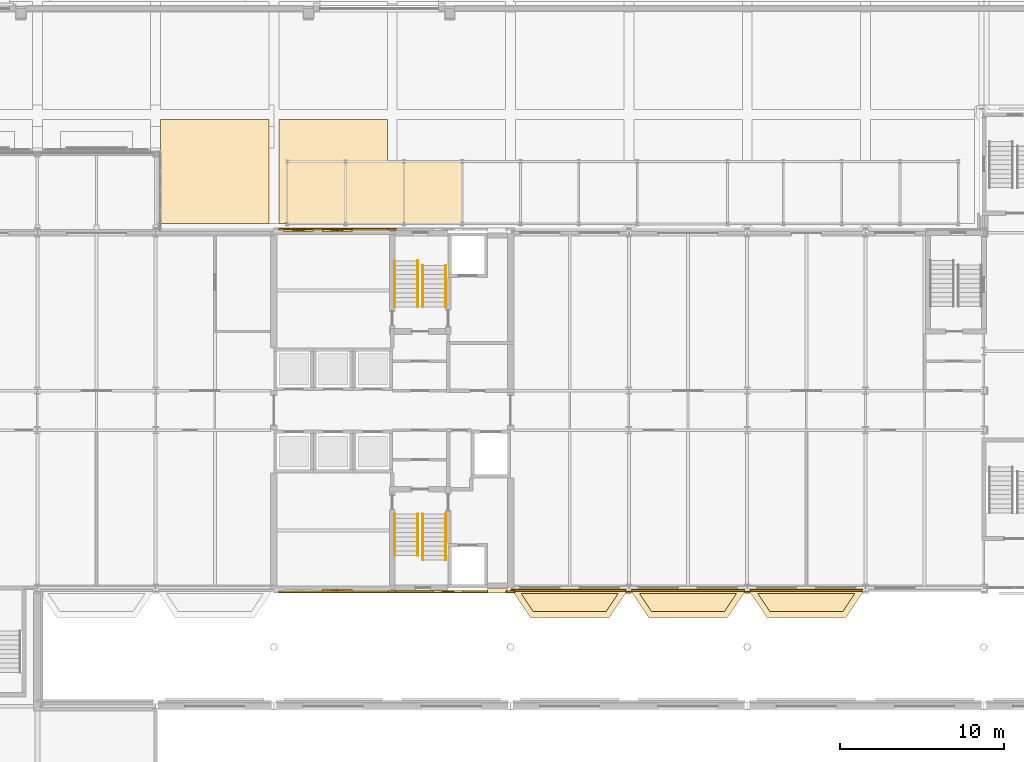
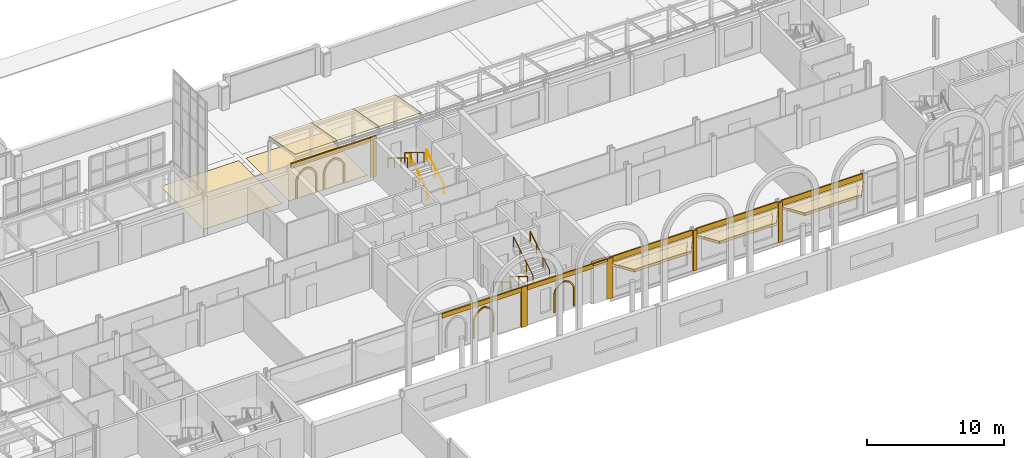
# One storey, part 121 of 143: 27 coverings, 8 railings.
"""IFC4 building model written with IfcOpenShell, lengths in metres."""

from ifc_helpers import new_model, si_unit, direction, frame, origin, origin_2d, place, context, subcontext, project, spatial, polyline, rectangle, circle, outline, extrude, material, layer, layer_set, type_object, element, save


model = new_model("IFC4")

# Units and contexts
model_context = context("Model", 3, precision=1e-05, world=origin(), true_north=direction((0.0, 1.0)))
body_context = subcontext(model_context, "Body", "Model", "MODEL_VIEW")
ifc_project = project(units=[si_unit("LENGTHUNIT", "METRE"), si_unit("AREAUNIT", "SQUARE_METRE"), si_unit("VOLUMEUNIT", "CUBIC_METRE"), si_unit("PLANEANGLEUNIT", "RADIAN"), si_unit("MASSUNIT", "GRAM", prefix="KILO")], contexts=[model_context])

# Site, building, storey
site_placement = place(None, origin())
site = spatial("IfcSite", under=ifc_project, at=site_placement, CompositionType="ELEMENT")
building_placement = place(site_placement, origin())
building = spatial("IfcBuilding", under=site, at=building_placement, Name="Kupolbacken Congress Centre", CompositionType="ELEMENT")
storey_placement = place(building_placement, frame((0.0, 0.0, 7.199951171875)))
storey = spatial("IfcBuildingStorey", under=building, at=storey_placement, Name="L02", CompositionType="ELEMENT", Elevation=7.199951171875)

# Coverings
ifc_material_1 = material(Name="Limestone cladding", Category="masonry")
ifc_layer_1 = layer(ifc_material_1, 0.1201171875)
ifc_layer_set_1 = layer_set([ifc_layer_1], Name="Limestone cladding")
covering_type_1 = type_object("IfcCoveringType", Name="CV1 limestone cladding band 120", PredefinedType="CLADDING", material=ifc_layer_set_1)
covering_1_placement = place(storey_placement, frame((0.0, 0.0, 2.840087890625)))
element("IfcCovering", 1, at=covering_1_placement, inside=storey, type_object=covering_type_1, Name="E/T/corbel2/L03/S/108/1", PredefinedType="CLADDING", context=body_context, shape_type="SweptSolid", body=[
    extrude(outline(polyline([(115.0732421875, 122.2099609375), (108.126708984375, 122.2099609375), (109.199951171875, 120.60009765625), (114.0, 120.60009765625), (115.0732421875, 122.2099609375)])), origin(), (0.0, 0.0, 1.0), 0.219970703125),
])
covering_2_placement = place(storey_placement, frame((0.0, 0.0, 2.6201171875)))
element("IfcCovering", 2, at=covering_2_placement, inside=storey, type_object=covering_type_1, Name="E/T/corbel2/L03/S/108/2", PredefinedType="CLADDING", context=body_context, shape_type="SweptSolid", body=[
    extrude(outline(polyline([(108.654052734375, 122.050048828125), (109.38720703125, 120.949951171875), (113.812744140625, 120.949951171875), (114.5458984375, 122.050048828125), (108.654052734375, 122.050048828125)])), origin(), (0.0, 0.0, 1.0), 0.219970703125),
])
covering_3_placement = place(storey_placement, frame((0.0, 0.0, 2.840087890625)))
element("IfcCovering", 3, at=covering_3_placement, inside=storey, type_object=covering_type_1, Name="E/T/corbel2/L03/S/115.2/1", PredefinedType="CLADDING", context=body_context, shape_type="SweptSolid", body=[
    extrude(outline(polyline([(122.273193359375, 122.2099609375), (115.32666015625, 122.2099609375), (116.39990234375, 120.60009765625), (121.199951171875, 120.60009765625), (122.273193359375, 122.2099609375)])), origin(), (0.0, 0.0, 1.0), 0.219970703125),
])
covering_4_placement = place(storey_placement, frame((0.0, 0.0, 2.6201171875)))
element("IfcCovering", 4, at=covering_4_placement, inside=storey, type_object=covering_type_1, Name="E/T/corbel2/L03/S/115.2/2", PredefinedType="CLADDING", context=body_context, shape_type="SweptSolid", body=[
    extrude(outline(polyline([(115.85400390625, 122.050048828125), (116.58740234375, 120.949951171875), (121.0126953125, 120.949951171875), (121.74609375, 122.050048828125), (115.85400390625, 122.050048828125)])), origin(), (0.0, 0.0, 1.0), 0.219970703125),
])
covering_5_placement = place(storey_placement, frame((0.0, 0.0, 2.840087890625)))
element("IfcCovering", 5, at=covering_5_placement, inside=storey, type_object=covering_type_1, Name="E/T/corbel2/L03/S/122.4/1", PredefinedType="CLADDING", context=body_context, shape_type="SweptSolid", body=[
    extrude(outline(polyline([(129.473388671875, 122.2099609375), (122.526611328125, 122.2099609375), (123.60009765625, 120.60009765625), (128.39990234375, 120.60009765625), (129.473388671875, 122.2099609375)])), origin(), (0.0, 0.0, 1.0), 0.219970703125),
])
covering_6_placement = place(storey_placement, frame((0.0, 0.0, 2.6201171875)))
element("IfcCovering", 6, at=covering_6_placement, inside=storey, type_object=covering_type_1, Name="E/T/corbel2/L03/S/122.4/2", PredefinedType="CLADDING", context=body_context, shape_type="SweptSolid", body=[
    extrude(outline(polyline([(123.053955078125, 122.050048828125), (123.787353515625, 120.949951171875), (128.212646484375, 120.949951171875), (128.946044921875, 122.050048828125), (123.053955078125, 122.050048828125)])), origin(), (0.0, 0.0, 1.0), 0.219970703125),
])
covering_7_placement = place(storey_placement, frame((107.199951171875, 122.2451171875, 3.419921875), z_axis=(0.0, 0.0, 1.0), x_axis=(1.0, 0.0, 0.0)))
element("IfcCovering", 7, at=covering_7_placement, inside=storey, type_object=covering_type_1, Name="E/T/S/L02/025/band", PredefinedType="CLADDING", context=body_context, shape_type="SweptSolid", body=[
    extrude(rectangle(XDim=1.199951171875, YDim=0.31005859375, at=origin_2d()), origin(), (0.0, 0.0, 1.0), 0.179931640625),
])
covering_8_placement = place(storey_placement, frame((111.523193359375, 122.262451171875, 3.1201171875), z_axis=(0.0, 0.0, 1.0), x_axis=(1.0, 0.0, 0.0)))
element("IfcCovering", 8, at=covering_8_placement, inside=storey, type_object=covering_type_1, Name="E/T/S/L02/026/band", PredefinedType="CLADDING", context=body_context, shape_type="SweptSolid", body=[
    extrude(rectangle(XDim=7.04638671875, YDim=0.10498046875, at=origin_2d()), origin(), (0.0, 0.0, 1.0), 0.47998046875),
])
for number, where, z_axis, x_axis, name in (
    (9, (118.800048828125, 122.262451171875, 3.1201171875), (0.0, 0.0, 1.0), (1.0, 0.0, 0.0), "E/T/S/L02/027/band"),
    (10, (126.0, 122.262451171875, 3.1201171875), (0.0, 0.0, 1.0), (1.0, 0.0, 0.0), "E/T/S/L02/028/band"),
):
    element("IfcCovering", number, at=place(storey_placement, frame(where, z_axis=z_axis, x_axis=x_axis)), inside=storey, type_object=covering_type_1, Name=name, PredefinedType="CLADDING", context=body_context, shape_type="SweptSolid", body=[
        extrude(rectangle(XDim=6.89306640625, YDim=0.10498046875, at=origin_2d()), origin(), (0.0, 0.0, 1.0), 0.47998046875),
    ])
for number, where, z_axis, x_axis, name in (
    (11, (115.199951171875, 122.134033203125, 0.0), (0.0, 0.0, 1.0), (1.0, 0.0, 0.0), "E/T/pilaster/L02/C-T-17T/S"),
    (12, (122.39990234375, 122.134033203125, 0.0), (0.0, 0.0, 1.0), (1.0, 0.0, 0.0), "E/T/pilaster/L02/C-T-18T/S"),
):
    element("IfcCovering", number, at=place(storey_placement, frame(where, z_axis=z_axis, x_axis=x_axis)), inside=storey, type_object=covering_type_1, Name=name, PredefinedType="CLADDING", context=body_context, shape_type="SweptSolid", body=[
        extrude(rectangle(XDim=0.306884765625, YDim=0.10009765625, at=origin_2d()), origin(), (0.0, 0.0, 1.0), 3.60009765625),
    ])
covering_9_placement = place(storey_placement, frame((100.800048828125, 144.235107421875, 0.0), z_axis=(0.0, 0.0, 1.0), x_axis=(1.0, 0.0, 0.0)))
element("IfcCovering", 13, at=covering_9_placement, inside=storey, type_object=covering_type_1, Name="E/T/stripe/N/L02/pil100.8", PredefinedType="CLADDING", context=body_context, shape_type="SweptSolid", body=[
    extrude(rectangle(XDim=0.5, YDim=0.1201171875, at=origin_2d()), origin(), (0.0, 0.0, 1.0), 3.60009765625),
])
covering_10_placement = place(storey_placement, frame((97.199951171875, 144.235107421875, 3.2001953125), z_axis=(0.0, 0.0, 1.0), x_axis=(1.0, 0.0, 0.0)))
element("IfcCovering", 14, at=covering_10_placement, inside=storey, type_object=covering_type_1, Name="E/T/stripe/N/L02/belt93.6", PredefinedType="CLADDING", context=body_context, shape_type="SweptSolid", body=[
    extrude(rectangle(XDim=6.699951171875, YDim=0.1201171875, at=origin_2d()), origin(), (0.0, 0.0, 1.0), 0.39990234375),
])
covering_11_placement = place(storey_placement, frame((94.199951171875, 144.10009765625, 0.35009765625), z_axis=(0.0, 1.0, 0.0), x_axis=(-1.0, 0.0, 0.0)))
element("IfcCovering", 15, at=covering_11_placement, inside=storey, type_object=covering_type_1, Name="E/T/stripe/N/L02/niche93.6/1", PredefinedType="CLADDING", context=body_context, shape_type="SweptSolid", body=[
    extrude(outline(polyline([(0.0, 0.0), (0.0, 1.43408203125), (-0.00537109375, 1.54443359375), (-0.021484375, 1.654052734375), (-0.048095703125, 1.761474609375), (-0.084716796875, 1.86572265625), (-0.131591796875, 1.966064453125), (-0.187744140625, 2.061279296875), (-0.2529296875, 2.15087890625), (-0.32666015625, 2.2333984375), (-0.40771484375, 2.30859375), (-0.495849609375, 2.37548828125), (-0.590087890625, 2.433837890625), (-0.689453125, 2.482421875), (-0.793212890625, 2.521240234375), (-0.89990234375, 2.550048828125), (-1.0068359375, 2.521240234375), (-1.110595703125, 2.482421875), (-1.2099609375, 2.433837890625), (-1.30419921875, 2.37548828125), (-1.39208984375, 2.30859375), (-1.473388671875, 2.2333984375), (-1.547119140625, 2.15087890625), (-1.6123046875, 2.061279296875), (-1.66845703125, 1.966064453125), (-1.715087890625, 1.86572265625), (-1.751953125, 1.761474609375), (-1.778564453125, 1.654052734375), (-1.794677734375, 1.54443359375), (-1.800048828125, 1.43408203125), (-1.800048828125, 0.0), (-1.679931640625, 0.0), (-1.679931640625, 1.43408203125), (-1.67529296875, 1.531005859375), (-1.66162109375, 1.627197265625), (-1.638671875, 1.7216796875), (-1.60693359375, 1.8134765625), (-1.566650390625, 1.90185546875), (-1.51806640625, 1.986083984375), (-1.461669921875, 2.065185546875), (-1.398193359375, 2.138916015625), (-1.327880859375, 2.205810546875), (-1.25146484375, 2.26611328125), (-1.169677734375, 2.318603515625), (-1.08349609375, 2.36328125), (-0.9931640625, 2.3994140625), (-0.89990234375, 2.427001953125), (-0.806884765625, 2.3994140625), (-0.716552734375, 2.36328125), (-0.63037109375, 2.318603515625), (-0.548583984375, 2.26611328125), (-0.47216796875, 2.205810546875), (-0.40185546875, 2.138916015625), (-0.33837890625, 2.065185546875), (-0.281982421875, 1.986083984375), (-0.2333984375, 1.90185546875), (-0.193115234375, 1.8134765625), (-0.161376953125, 1.7216796875), (-0.138427734375, 1.627197265625), (-0.12451171875, 1.531005859375), (-0.1201171875, 1.43408203125), (-0.1201171875, 0.0), (0.0, 0.0)])), origin(), (0.0, 0.0, 1.0), 0.080078125),
])
covering_12_placement = place(storey_placement, frame((96.550048828125, 144.10009765625, 0.35009765625), z_axis=(0.0, 1.0, 0.0), x_axis=(-1.0, 0.0, 0.0)))
element("IfcCovering", 16, at=covering_12_placement, inside=storey, type_object=covering_type_1, Name="E/T/stripe/N/L02/niche93.6/2", PredefinedType="CLADDING", context=body_context, shape_type="SweptSolid", body=[
    extrude(outline(polyline([(0.0, 0.0), (0.0, 1.43408203125), (-0.00537109375, 1.54443359375), (-0.021484375, 1.654052734375), (-0.048095703125, 1.761474609375), (-0.084716796875, 1.86572265625), (-0.131591796875, 1.966064453125), (-0.187744140625, 2.061279296875), (-0.2529296875, 2.15087890625), (-0.32666015625, 2.2333984375), (-0.40771484375, 2.30859375), (-0.495849609375, 2.37548828125), (-0.590087890625, 2.433837890625), (-0.689453125, 2.482421875), (-0.793212890625, 2.521240234375), (-0.89990234375, 2.550048828125), (-1.0068359375, 2.521240234375), (-1.110595703125, 2.482421875), (-1.2099609375, 2.433837890625), (-1.30419921875, 2.37548828125), (-1.39208984375, 2.30859375), (-1.473388671875, 2.2333984375), (-1.547119140625, 2.15087890625), (-1.6123046875, 2.061279296875), (-1.66845703125, 1.966064453125), (-1.715087890625, 1.86572265625), (-1.751953125, 1.761474609375), (-1.778564453125, 1.654052734375), (-1.794677734375, 1.54443359375), (-1.800048828125, 1.43408203125), (-1.800048828125, 0.0), (-1.679931640625, 0.0), (-1.679931640625, 1.43408203125), (-1.67529296875, 1.531005859375), (-1.66162109375, 1.627197265625), (-1.638671875, 1.7216796875), (-1.60693359375, 1.8134765625), (-1.566650390625, 1.90185546875), (-1.51806640625, 1.986083984375), (-1.461669921875, 2.065185546875), (-1.398193359375, 2.138916015625), (-1.327880859375, 2.205810546875), (-1.25146484375, 2.26611328125), (-1.169677734375, 2.318603515625), (-1.08349609375, 2.36328125), (-0.9931640625, 2.3994140625), (-0.89990234375, 2.427001953125), (-0.806884765625, 2.3994140625), (-0.716552734375, 2.36328125), (-0.63037109375, 2.318603515625), (-0.548583984375, 2.26611328125), (-0.47216796875, 2.205810546875), (-0.40185546875, 2.138916015625), (-0.33837890625, 2.065185546875), (-0.281982421875, 1.986083984375), (-0.2333984375, 1.90185546875), (-0.193115234375, 1.8134765625), (-0.161376953125, 1.7216796875), (-0.138427734375, 1.627197265625), (-0.12451171875, 1.531005859375), (-0.1201171875, 1.43408203125), (-0.1201171875, 0.0), (0.0, 0.0)])), origin(), (0.0, 0.0, 1.0), 0.080078125),
])
for number, where, z_axis, x_axis, name in (
    (17, (100.800048828125, 122.1650390625, 0.0), (0.0, 0.0, 1.0), (1.0, 0.0, 0.0), "E/T/stripe/S/L02/pil100.8"),
    (18, (108.0, 122.1650390625, 0.0), (0.0, 0.0, 1.0), (1.0, 0.0, 0.0), "E/T/stripe/S/L02/pil108"),
):
    element("IfcCovering", number, at=place(storey_placement, frame(where, z_axis=z_axis, x_axis=x_axis)), inside=storey, type_object=covering_type_1, Name=name, PredefinedType="CLADDING", context=body_context, shape_type="SweptSolid", body=[
        extrude(rectangle(XDim=0.5, YDim=0.1201171875, at=origin_2d()), origin(), (0.0, 0.0, 1.0), 3.60009765625),
    ])
covering_13_placement = place(storey_placement, frame((97.199951171875, 122.1650390625, 3.2001953125), z_axis=(0.0, 0.0, 1.0), x_axis=(1.0, 0.0, 0.0)))
element("IfcCovering", 19, at=covering_13_placement, inside=storey, type_object=covering_type_1, Name="E/T/stripe/S/L02/belt93.6", PredefinedType="CLADDING", context=body_context, shape_type="SweptSolid", body=[
    extrude(rectangle(XDim=6.699951171875, YDim=0.1201171875, at=origin_2d()), origin(), (0.0, 0.0, 1.0), 0.39990234375),
])
covering_14_placement = place(storey_placement, frame((96.550048828125, 122.300048828125, 0.35009765625), z_axis=(0.0, -1.0, 0.0), x_axis=(1.0, 0.0, 0.0)))
element("IfcCovering", 20, at=covering_14_placement, inside=storey, type_object=covering_type_1, Name="E/T/stripe/S/L02/niche93.6/2", PredefinedType="CLADDING", context=body_context, shape_type="SweptSolid", body=[
    extrude(outline(polyline([(0.0, 0.0), (0.0, 1.43408203125), (0.00537109375, 1.54443359375), (0.021484375, 1.654052734375), (0.048095703125, 1.761474609375), (0.084716796875, 1.86572265625), (0.131591796875, 1.966064453125), (0.187744140625, 2.061279296875), (0.2529296875, 2.15087890625), (0.32666015625, 2.2333984375), (0.40771484375, 2.30859375), (0.495849609375, 2.37548828125), (0.590087890625, 2.433837890625), (0.689453125, 2.482421875), (0.793212890625, 2.521240234375), (0.89990234375, 2.550048828125), (1.0068359375, 2.521240234375), (1.110595703125, 2.482421875), (1.2099609375, 2.433837890625), (1.30419921875, 2.37548828125), (1.39208984375, 2.30859375), (1.473388671875, 2.2333984375), (1.547119140625, 2.15087890625), (1.6123046875, 2.061279296875), (1.66845703125, 1.966064453125), (1.715087890625, 1.86572265625), (1.751953125, 1.761474609375), (1.778564453125, 1.654052734375), (1.794677734375, 1.54443359375), (1.800048828125, 1.43408203125), (1.800048828125, 0.0), (1.679931640625, 0.0), (1.679931640625, 1.43408203125), (1.67529296875, 1.531005859375), (1.66162109375, 1.627197265625), (1.638671875, 1.7216796875), (1.60693359375, 1.8134765625), (1.566650390625, 1.90185546875), (1.51806640625, 1.986083984375), (1.461669921875, 2.065185546875), (1.398193359375, 2.138916015625), (1.327880859375, 2.205810546875), (1.25146484375, 2.26611328125), (1.169677734375, 2.318603515625), (1.08349609375, 2.36328125), (0.9931640625, 2.3994140625), (0.89990234375, 2.427001953125), (0.806884765625, 2.3994140625), (0.716552734375, 2.36328125), (0.63037109375, 2.318603515625), (0.548583984375, 2.26611328125), (0.47216796875, 2.205810546875), (0.40185546875, 2.138916015625), (0.33837890625, 2.065185546875), (0.281982421875, 1.986083984375), (0.2333984375, 1.90185546875), (0.193115234375, 1.8134765625), (0.161376953125, 1.7216796875), (0.138427734375, 1.627197265625), (0.12451171875, 1.531005859375), (0.1201171875, 1.43408203125), (0.1201171875, 0.0), (0.0, 0.0)])), origin(), (0.0, 0.0, 1.0), 0.080078125),
])
covering_15_placement = place(storey_placement, frame((104.39990234375, 122.1650390625, 3.2001953125), z_axis=(0.0, 0.0, 1.0), x_axis=(1.0, 0.0, 0.0)))
element("IfcCovering", 21, at=covering_15_placement, inside=storey, type_object=covering_type_1, Name="E/T/stripe/S/L02/belt100.8", PredefinedType="CLADDING", context=body_context, shape_type="SweptSolid", body=[
    extrude(rectangle(XDim=6.699951171875, YDim=0.1201171875, at=origin_2d()), origin(), (0.0, 0.0, 1.0), 0.39990234375),
])
covering_16_placement = place(storey_placement, frame((103.300048828125, 122.22509765625, 0.35009765625), z_axis=(0.0, -1.0, 0.0), x_axis=(1.0, 0.0, 0.0)))
element("IfcCovering", 22, at=covering_16_placement, inside=storey, type_object=covering_type_1, Name="E/T/stripe/S/L02/niche100.8/1", PredefinedType="CLADDING", context=body_context, shape_type="SweptSolid", body=[
    extrude(outline(polyline([(0.0, 0.0), (0.0, 1.43408203125), (0.00537109375, 1.54443359375), (0.021484375, 1.654052734375), (0.048095703125, 1.761474609375), (0.084716796875, 1.86572265625), (0.131591796875, 1.966064453125), (0.187744140625, 2.061279296875), (0.2529296875, 2.15087890625), (0.32666015625, 2.2333984375), (0.40771484375, 2.30859375), (0.495849609375, 2.37548828125), (0.590087890625, 2.433837890625), (0.689453125, 2.482421875), (0.793212890625, 2.521240234375), (0.89990234375, 2.550048828125), (1.0068359375, 2.521240234375), (1.110595703125, 2.482421875), (1.2099609375, 2.433837890625), (1.30419921875, 2.37548828125), (1.39208984375, 2.30859375), (1.473388671875, 2.2333984375), (1.547119140625, 2.15087890625), (1.6123046875, 2.061279296875), (1.66845703125, 1.966064453125), (1.715087890625, 1.86572265625), (1.751953125, 1.761474609375), (1.778564453125, 1.654052734375), (1.794677734375, 1.54443359375), (1.800048828125, 1.43408203125), (1.800048828125, 0.0), (1.679931640625, 0.0), (1.679931640625, 1.43408203125), (1.67529296875, 1.531005859375), (1.66162109375, 1.627197265625), (1.638671875, 1.7216796875), (1.60693359375, 1.8134765625), (1.566650390625, 1.90185546875), (1.51806640625, 1.986083984375), (1.461669921875, 2.065185546875), (1.398193359375, 2.138916015625), (1.327880859375, 2.205810546875), (1.25146484375, 2.26611328125), (1.169677734375, 2.318603515625), (1.08349609375, 2.36328125), (0.9931640625, 2.3994140625), (0.89990234375, 2.427001953125), (0.806884765625, 2.3994140625), (0.716552734375, 2.36328125), (0.63037109375, 2.318603515625), (0.548583984375, 2.26611328125), (0.47216796875, 2.205810546875), (0.40185546875, 2.138916015625), (0.33837890625, 2.065185546875), (0.281982421875, 1.986083984375), (0.2333984375, 1.90185546875), (0.193115234375, 1.8134765625), (0.161376953125, 1.7216796875), (0.138427734375, 1.627197265625), (0.12451171875, 1.531005859375), (0.1201171875, 1.43408203125), (0.1201171875, 0.0), (0.0, 0.0)])), origin(), (0.0, 0.0, 1.0), 0.080078125),
])
ifc_material_2 = material(Name="Glass", Category="glass")
ifc_layer_2 = layer(ifc_material_2, 0.0439453125)
ifc_layer_set_2 = layer_set([ifc_layer_2], Name="Glass")
covering_type_2 = type_object("IfcCoveringType", Name="GC1 glazed canopy roof 44", PredefinedType="ROOFING", material=ifc_layer_set_2)
for number, where, z_axis, x_axis, name in (
    (23, (94.39990234375, 144.550048828125, 4.033935546875), (0.0, 0.181147956008, 0.983455854644), (1.0, 0.0, 0.0), "Covered passage glass"),
    (24, (97.949951171875, 144.550048828125, 4.033935546875), (0.0, 0.181147956008, 0.983455854644), (1.0, 0.0, 0.0), "Covered passage glass"),
    (25, (101.5, 144.550048828125, 4.033935546875), (0.0, 0.181147956008, 0.983455854644), (1.0, 0.0, 0.0), "Covered passage glass"),
):
    element("IfcCovering", number, at=place(storey_placement, frame(where, z_axis=z_axis, x_axis=x_axis)), inside=storey, type_object=covering_type_2, Name=name, PredefinedType="ROOFING", context=body_context, shape_type="SweptSolid", body=[
        extrude(outline(polyline([(0.0, 0.0), (3.550048828125, 0.0), (3.550048828125, 3.863974992044251), (0.0, 3.863974992044251), (0.0, 0.0)])), origin(), (0.0, 0.0, -1.0), 0.0439453125),
    ])
ifc_material_3 = material(Name="Limestone cladding", Category="masonry")
ifc_layer_3 = layer(ifc_material_3, 0.02001953125)
ifc_layer_set_3 = layer_set([ifc_layer_3], Name="Limestone cladding")
covering_type_3 = type_object("IfcCoveringType", Name="GF1 limestone paving 20", PredefinedType="FLOORING", material=ifc_layer_set_3)
covering_17_placement = place(storey_placement, origin())
element("IfcCovering", 26, at=covering_17_placement, inside=storey, type_object=covering_type_3, Name="Arrival deck limestone paving", PredefinedType="FLOORING", context=body_context, shape_type="SweptSolid", body=[
    extrude(outline(polyline([(93.89990234375, 144.574951171875), (93.89990234375, 150.89990234375), (100.5, 150.89990234375), (100.5, 144.574951171875), (93.89990234375, 144.574951171875)])), origin(), (0.0, 0.0, 1.0), 0.02001953125),
])
covering_18_placement = place(storey_placement, origin())
element("IfcCovering", 27, at=covering_18_placement, inside=storey, type_object=covering_type_3, Name="Arrival deck limestone paving", PredefinedType="FLOORING", context=body_context, shape_type="SweptSolid", body=[
    extrude(outline(polyline([(86.699951171875, 144.574951171875), (86.699951171875, 150.89990234375), (93.300048828125, 150.89990234375), (93.300048828125, 144.574951171875), (86.699951171875, 144.574951171875)])), origin(), (0.0, 0.0, 1.0), 0.02001953125),
])

# Railings
ifc_material_4 = material(Name="Steel S235", Category="steel")
railing_type = type_object("IfcRailingType", Name="RL3 handrail wall-mounted 900", PredefinedType="HANDRAIL", material=ifc_material_4)
for number, where, name in (
    (28, (102.35009765625, 126.89501953125, 0.17138671875), "C/stair/TS1/L02/HR1L"),
    (29, (100.949951171875, 126.89501953125, 0.17138671875), "C/stair/TS1/L02/HR1R"),
):
    element("IfcRailing", number, at=place(storey_placement, frame(where)), inside=storey, type_object=railing_type, Name=name, PredefinedType="HANDRAIL", context=body_context, shape_type="SweptSolid", body=[
        extrude(circle(Radius=0.02392578125, at=origin_2d()), frame((0.0, 0.0, 0.8759765625), z_axis=(0.0, -0.852836285881, 0.522178388565), x_axis=(1.0, 0.0, 0.0)), (0.0, 0.0, 1.0), 2.954833984375),
        extrude(circle(Radius=0.02099609375, at=origin_2d()), origin(), (0.0, 0.0, 1.0), 0.851806640625),
        extrude(circle(Radius=0.02099609375, at=origin_2d()), frame((0.0, -1.260009765625, 0.771484375)), (0.0, 0.0, 1.0), 0.851806640625),
        extrude(circle(Radius=0.02099609375, at=origin_2d()), frame((0.0, -2.52001953125, 1.54296875)), (0.0, 0.0, 1.0), 0.851806640625),
    ])
for number, where, name in (
    (30, (102.64990234375, 124.094970703125, 1.8857421875), "C/stair/TS1/L02/HR2L"),
    (31, (104.050048828125, 124.094970703125, 1.8857421875), "C/stair/TS1/L02/HR2R"),
):
    element("IfcRailing", number, at=place(storey_placement, frame(where)), inside=storey, type_object=railing_type, Name=name, PredefinedType="HANDRAIL", context=body_context, shape_type="SweptSolid", body=[
        extrude(circle(Radius=0.02392578125, at=origin_2d()), frame((0.0, 0.0, 0.8759765625), z_axis=(0.0, 0.852845897599, 0.522162690116), x_axis=(-1.0, 0.0, 0.0)), (0.0, 0.0, 1.0), 3.283203125),
        extrude(circle(Radius=0.02099609375, at=origin_2d()), origin(), (0.0, 0.0, 1.0), 0.851806640625),
        extrude(circle(Radius=0.02099609375, at=origin_2d()), frame((0.0, 0.933349609375, 0.571533203125)), (0.0, 0.0, 1.0), 0.851806640625),
        extrude(circle(Radius=0.02099609375, at=origin_2d()), frame((0.0, 1.86669921875, 1.142822265625)), (0.0, 0.0, 1.0), 0.851806640625),
        extrude(circle(Radius=0.02099609375, at=origin_2d()), frame((0.0, 2.800048828125, 1.71435546875)), (0.0, 0.0, 1.0), 0.851806640625),
    ])
for number, where, name in (
    (32, (102.64990234375, 139.5048828125, 0.17138671875), "C/stair/TS2/L02/HR1L"),
    (33, (104.050048828125, 139.5048828125, 0.17138671875), "C/stair/TS2/L02/HR1R"),
):
    element("IfcRailing", number, at=place(storey_placement, frame(where)), inside=storey, type_object=railing_type, Name=name, PredefinedType="HANDRAIL", context=body_context, shape_type="SweptSolid", body=[
        extrude(circle(Radius=0.02392578125, at=origin_2d()), frame((0.0, 0.0, 0.8759765625), z_axis=(0.0, 0.852836285881, 0.522178388565), x_axis=(-1.0, 0.0, 0.0)), (0.0, 0.0, 1.0), 2.954833984375),
        extrude(circle(Radius=0.02099609375, at=origin_2d()), origin(), (0.0, 0.0, 1.0), 0.851806640625),
        extrude(circle(Radius=0.02099609375, at=origin_2d()), frame((0.0, 1.260009765625, 0.771484375)), (0.0, 0.0, 1.0), 0.851806640625),
        extrude(circle(Radius=0.02099609375, at=origin_2d()), frame((0.0, 2.52001953125, 1.54296875)), (0.0, 0.0, 1.0), 0.851806640625),
    ])
for number, where, name in (
    (34, (102.35009765625, 142.304931640625, 1.8857421875), "C/stair/TS2/L02/HR2L"),
    (35, (100.949951171875, 142.304931640625, 1.8857421875), "C/stair/TS2/L02/HR2R"),
):
    element("IfcRailing", number, at=place(storey_placement, frame(where)), inside=storey, type_object=railing_type, Name=name, PredefinedType="HANDRAIL", context=body_context, shape_type="SweptSolid", body=[
        extrude(circle(Radius=0.02392578125, at=origin_2d()), frame((0.0, 0.0, 0.8759765625), z_axis=(0.0, -0.852845897599, 0.522162690116), x_axis=(1.0, 0.0, 0.0)), (0.0, 0.0, 1.0), 3.283203125),
        extrude(circle(Radius=0.02099609375, at=origin_2d()), origin(), (0.0, 0.0, 1.0), 0.851806640625),
        extrude(circle(Radius=0.02099609375, at=origin_2d()), frame((0.0, -0.933349609375, 0.571533203125)), (0.0, 0.0, 1.0), 0.851806640625),
        extrude(circle(Radius=0.02099609375, at=origin_2d()), frame((0.0, -1.86669921875, 1.142822265625)), (0.0, 0.0, 1.0), 0.851806640625),
        extrude(circle(Radius=0.02099609375, at=origin_2d()), frame((0.0, -2.800048828125, 1.71435546875)), (0.0, 0.0, 1.0), 0.851806640625),
    ])

save(model, "model.ifc")
